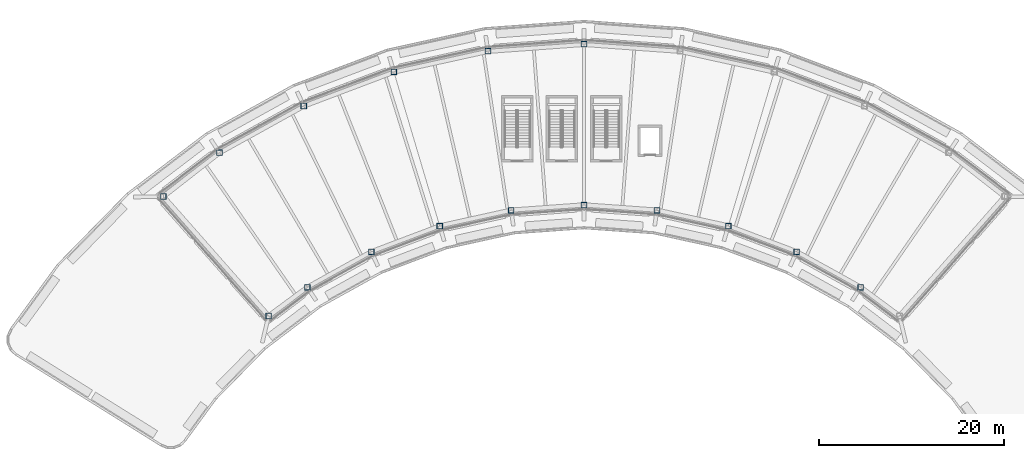
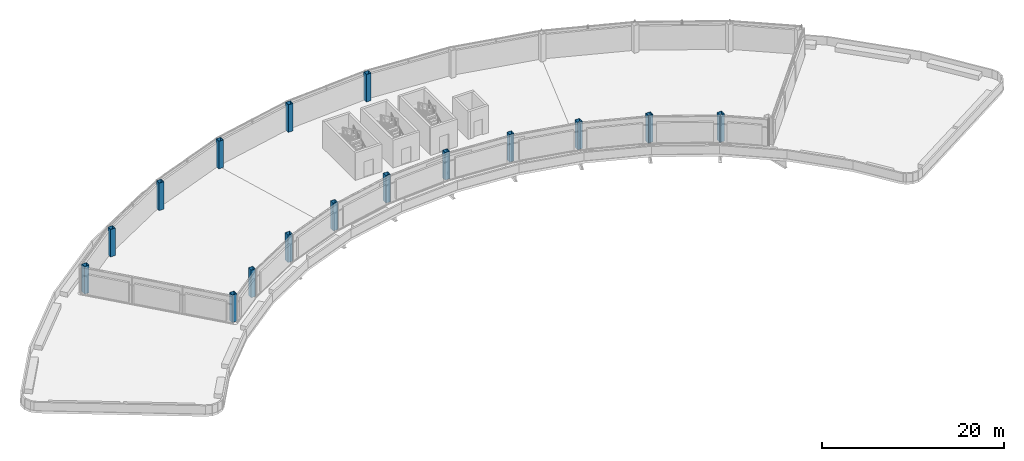
# One storey, part 1 of 17: 16 columns.
"""IFC4 building model written with IfcOpenShell, lengths in metres."""

from ifc_helpers import new_model, si_unit, direction, frame, origin, origin_2d, place, context, subcontext, project, spatial, hollow_rectangle, extrude, material, material_profile, profile_set, type_object, element, save


model = new_model("IFC4")

# Units and contexts
model_context = context("Model", 3, precision=1e-05, world=origin(), true_north=direction((0.0, 1.0)))
body_context = subcontext(model_context, "Body", "Model", "MODEL_VIEW")
ifc_project = project(units=[si_unit("LENGTHUNIT", "METRE"), si_unit("AREAUNIT", "SQUARE_METRE"), si_unit("VOLUMEUNIT", "CUBIC_METRE"), si_unit("PLANEANGLEUNIT", "RADIAN"), si_unit("MASSUNIT", "GRAM", prefix="KILO")], contexts=[model_context])

# Site, building, storey
site_placement = place(None, origin())
site = spatial("IfcSite", under=ifc_project, at=site_placement, CompositionType="ELEMENT")
building_placement = place(site_placement, origin())
building = spatial("IfcBuilding", under=site, at=building_placement, Name="Tuul Gate Civic Tower", CompositionType="ELEMENT")
storey_placement = place(building_placement, frame((0.0, 0.0, 360.10009765625)))
storey = spatial("IfcBuildingStorey", under=building, at=storey_placement, Name="Crown tier 1 lower", CompositionType="ELEMENT", Elevation=360.10009765625)

# Columns
ifc_material = material(Name="Steel S355", Category="steel")
ifc_material_profile = material_profile(ifc_material, hollow_rectangle(XDim=0.60009765625, YDim=0.60009765625, WallThickness=0.02490234375, at=origin_2d()), Name="BOX600x600x25")
ifc_profile_set = profile_set([ifc_material_profile], Name="Steel S355")
column_type = type_object("IfcColumnType", Name="STR-COLUMN-BOX600x600x25", PredefinedType="COLUMN", material=ifc_profile_set)
for number, where, z_axis, x_axis, name in (
    (1, (2.19189453125, 11.822021484375, 0.0), (0.0, 0.0, 1.0), (1.0, 0.0, 0.0), "Column"),
    (2, (-8.16796875, 11.072021484375, 0.0), (0.0, 0.0, 1.0), (1.0, 0.0, 0.0), "Column"),
    (3, (-18.31298828125, 8.8359375, 0.0), (0.0, 0.0, 1.0), (1.0, 0.0, 0.0), "Column"),
    (4, (-28.029052734375, 5.162109375, 0.0), (0.0, 0.0, 1.0), (1.0, 0.0, 0.0), "Column"),
    (5, (-37.114013671875, 0.1259765625, 0.0), (0.0, 0.0, 1.0), (1.0, 0.0, 0.0), "Column"),
    (6, (-43.1650390625, -4.60107421875, 0.0), (0.0, 0.0, 1.0), (1.0, 0.0, 0.0), "Column"),
    (7, (-31.81689453125, -17.48291015625, 0.0), (0.0, 0.0, 1.0), (1.0, 0.0, 0.0), "Column"),
    (8, (-27.631103515625, -14.39697265625, 0.0), (0.0, 0.0, 1.0), (1.0, 0.0, 0.0), "Column"),
    (9, (-20.738037109375, -10.575927734375, 0.0), (0.0, 0.0, 1.0), (1.0, 0.0, 0.0), "Column"),
    (10, (-13.365966796875, -7.7880859375, 0.0), (0.0, 0.0, 1.0), (1.0, 0.0, 0.0), "Column"),
    (11, (-5.6689453125, -6.092041015625, 0.0), (0.0, 0.0, 1.0), (1.0, 0.0, 0.0), "Column"),
    (12, (2.19189453125, -5.52294921875, 0.0), (0.0, 0.0, 1.0), (1.0, 0.0, 0.0), "Column"),
    (13, (10.052978515625, -6.092041015625, 0.0), (0.0, 0.0, 1.0), (1.0, 0.0, 0.0), "Column"),
    (14, (17.75, -7.7880859375, 0.0), (0.0, 0.0, 1.0), (1.0, 0.0, 0.0), "Column"),
    (15, (25.1220703125, -10.575927734375, 0.0), (0.0, 0.0, 1.0), (1.0, 0.0, 0.0), "Column"),
    (16, (32.014892578125, -14.39697265625, 0.0), (0.0, 0.0, 1.0), (1.0, 0.0, 0.0), "Column"),
):
    element("IfcColumn", number, at=place(storey_placement, frame(where, z_axis=z_axis, x_axis=x_axis)), inside=storey, type_object=column_type, Name=name, PredefinedType="COLUMN", context=body_context, shape_type="SweptSolid", body=[
        extrude(hollow_rectangle(XDim=0.60009765625, YDim=0.60009765625, WallThickness=0.02490234375, at=origin_2d()), origin(), (0.0, 0.0, 1.0), 3.699951171875),
    ])

save(model, "model.ifc")
